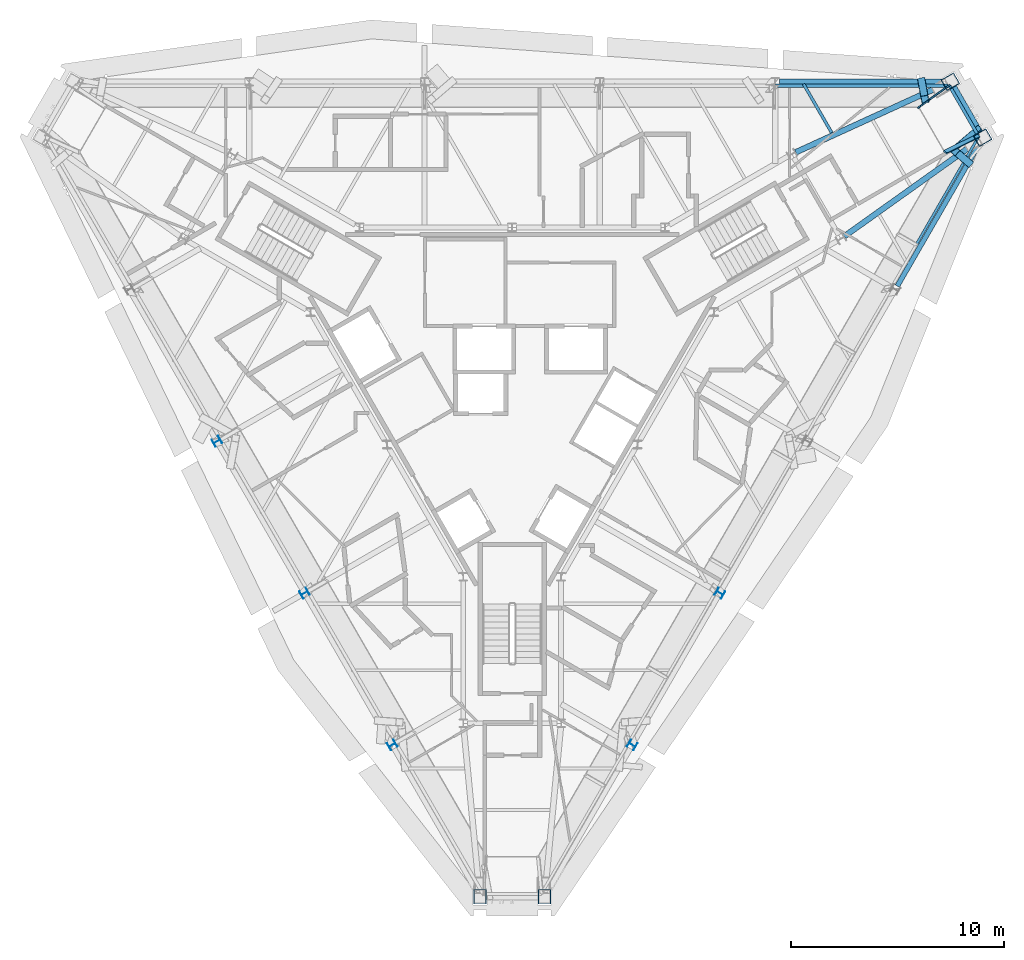
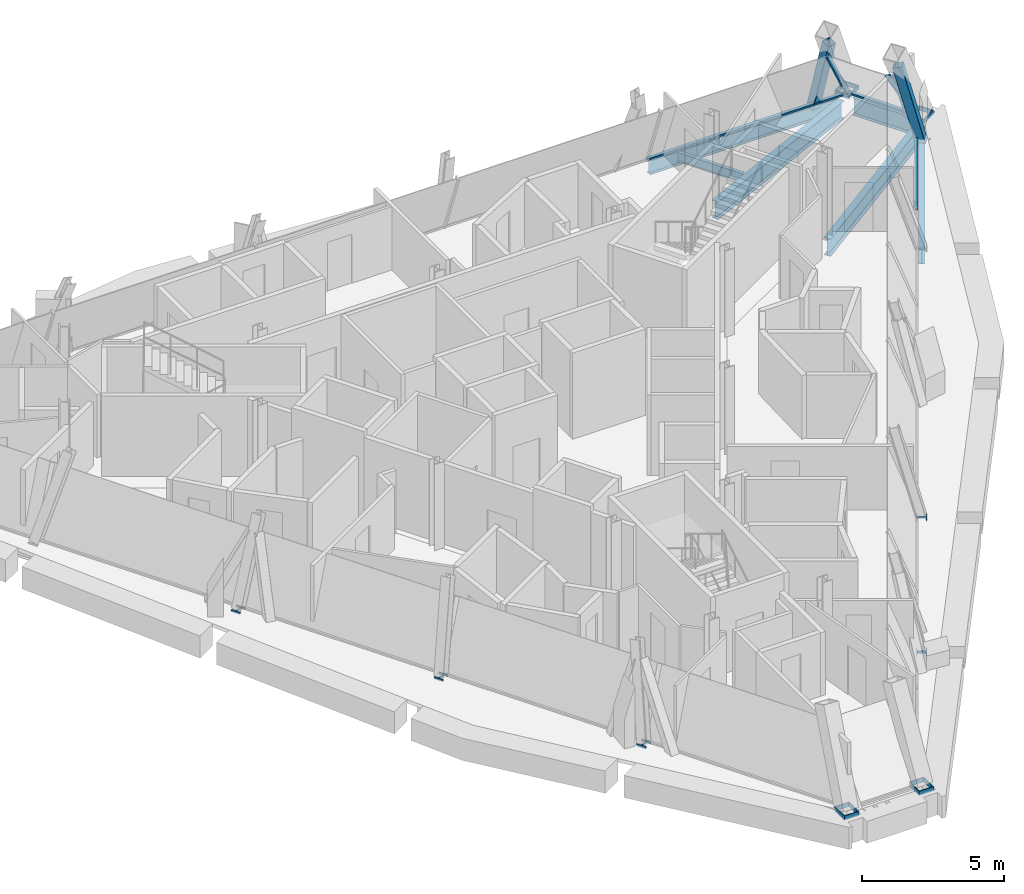
# One storey, part 4 of 13: 17 members, 6 beams, 3 elements without a shape of their own.
"""IFC4 building model written with IfcOpenShell, lengths in metres."""

from ifc_helpers import new_model, si_unit, direction, frame, origin, origin_2d, place, context, subcontext, project, spatial, rectangle, hollow_rectangle, i_section, extrude, material, material_profile, profile_set, type_object, element, aggregate, save


model = new_model("IFC4")

# Units and contexts
model_context = context("Model", 3, precision=1e-05, world=origin(), true_north=direction((0.0, 1.0)))
body_context = subcontext(model_context, "Body", "Model", "MODEL_VIEW")
ifc_project = project(units=[si_unit("LENGTHUNIT", "METRE"), si_unit("AREAUNIT", "SQUARE_METRE"), si_unit("VOLUMEUNIT", "CUBIC_METRE"), si_unit("PLANEANGLEUNIT", "RADIAN"), si_unit("MASSUNIT", "GRAM", prefix="KILO")], contexts=[model_context])

# Site, building, storey
site_placement = place(None, origin())
site = spatial("IfcSite", under=ifc_project, at=site_placement, CompositionType="ELEMENT")
building_placement = place(site_placement, origin())
building = spatial("IfcBuilding", under=site, at=building_placement, Name="Verrane Prism Tower", CompositionType="ELEMENT")
storey_placement = place(building_placement, frame((0.0, 0.0, 304.699951171875)))
storey = spatial("IfcBuildingStorey", under=building, at=storey_placement, Name="L77", CompositionType="ELEMENT", Elevation=304.699951171875)

# Member
ifc_material_1 = material(Name="Steel A500 Grade C", Category="steel")
ifc_material_profile_1 = material_profile(ifc_material_1, hollow_rectangle(XDim=0.25390625, YDim=0.25390625, WallThickness=0.009521484375, InnerFilletRadius=0.0048828125, OuterFilletRadius=0.014404296875, at=origin_2d()), Name="HSS10x10x3/8")
ifc_profile_set_1 = profile_set([ifc_material_profile_1], Name="Steel A500 Grade C")
member_type_1 = type_object("IfcMemberType", Name="Chamfer brace HSS10x10x3/8", PredefinedType="BRACE", material=ifc_profile_set_1)
member_1_placement = place(storey_placement, frame((21.880859375, 11.433837890625, -0.242431640625), z_axis=(-0.352889837406, -0.301488956858, 0.885761351352), x_axis=(0.649563353481, -0.760307470576, 0.0)))
element("IfcMember", 1, at=member_1_placement, inside=storey, type_object=member_type_1, Name="Chamfer brace NE0 L77", PredefinedType="BRACE", context=body_context, shape_type="SweptSolid", body=[
    extrude(hollow_rectangle(XDim=0.25390625, YDim=0.25390625, WallThickness=0.009521484375, InnerFilletRadius=0.0048828125, OuterFilletRadius=0.014404296875, at=origin_2d()), origin(), (0.0, 0.0, 1.0), 3.1064453125),
])

# Beams
ifc_material_2 = material(Name="Steel A992", Category="steel")
ifc_material_profile_2 = material_profile(ifc_material_2, i_section(OverallWidth=0.2666015625, OverallDepth=0.7568359375, WebThickness=0.013916015625, FlangeThickness=0.019287109375, FilletRadius=0.0166015625, at=origin_2d()), Name="W30x108")
ifc_profile_set_2 = profile_set([ifc_material_profile_2], Name="Steel A992")
beam_type_1 = type_object("IfcBeamType", Name="Chamfer spandrel beam W30x108", PredefinedType="SPANDREL", material=ifc_profile_set_2)
beam_1_placement = place(storey_placement, frame((21.969970703125, 11.27978515625, -0.538330078125), z_axis=(-0.500436097356, 0.865773476415, 0.0), x_axis=(-0.865773476415, -0.500436097356, 0.0)))
element("IfcBeam", 2, at=beam_1_placement, inside=storey, type_object=beam_type_1, Name="Chamfer spandrel beam L77", PredefinedType="SPANDREL", context=body_context, shape_type="SweptSolid", body=[
    extrude(i_section(OverallWidth=0.2666015625, OverallDepth=0.7568359375, WebThickness=0.013916015625, FlangeThickness=0.019287109375, FilletRadius=0.0166015625, at=origin_2d()), origin(), (0.0, 0.0, 1.0), 2.437744140625),
])
ifc_material_3 = material(Name="Steel A992", Category="steel")
ifc_material_profile_3 = material_profile(ifc_material_3, i_section(OverallWidth=0.2666015625, OverallDepth=0.7568359375, WebThickness=0.013916015625, FlangeThickness=0.019287109375, FilletRadius=0.0166015625, at=origin_2d()), Name="W30x108")
ifc_profile_set_3 = profile_set([ifc_material_profile_3], Name="Steel A992")
beam_type_2 = type_object("IfcBeamType", Name="Corner girder W30x108", PredefinedType="BEAM", material=ifc_profile_set_3)
for number, where, z_axis, x_axis, name in (
    (3, (21.833740234375, 10.81591796875, -0.598388671875), (-0.814401339816, -0.580302040067, 0.0), (0.580302040067, -0.814401339816, 0.0), "Corner girder L77"),
    (4, (20.2802734375, 13.50390625, -0.598388671875), (-0.909481370613, -0.415744677065, 0.0), (0.415744677065, -0.909481370613, 0.0), "Corner girder L77"),
):
    element("IfcBeam", number, at=place(storey_placement, frame(where, z_axis=z_axis, x_axis=x_axis)), inside=storey, type_object=beam_type_2, Name=name, PredefinedType="BEAM", context=body_context, shape_type="SweptSolid", body=[
        extrude(i_section(OverallWidth=0.2666015625, OverallDepth=0.7568359375, WebThickness=0.013916015625, FlangeThickness=0.019287109375, FilletRadius=0.0166015625, at=origin_2d()), origin(), (0.0, 0.0, 1.0), 7.650634765625),
    ])

# Members
ifc_material_4 = material(Name="Steel A500 Grade C", Category="steel")
ifc_material_profile_4 = material_profile(ifc_material_4, hollow_rectangle(XDim=0.355712890625, YDim=0.355712890625, WallThickness=0.0126953125, InnerFilletRadius=0.00634765625, OuterFilletRadius=0.01904296875, at=origin_2d()), Name="HSS14x14x1/2")
ifc_profile_set_4 = profile_set([ifc_material_profile_4], Name="Steel A500 Grade C")
member_type_2 = type_object("IfcMemberType", Name="Facade brace HSS14x14x1/2", PredefinedType="BRACE", material=ifc_profile_set_4)
member_2_placement = place(storey_placement, frame((19.23876953125, 13.64990234375, -0.216552734375), z_axis=(0.046697248838, -0.253573473452, 0.966188315243), x_axis=(0.983462622237, 0.18111121076, 0.0)))
element("IfcMember", 5, at=member_2_placement, inside=storey, type_object=member_type_2, Name="Facade brace N0 L77", PredefinedType="BRACE", context=body_context, shape_type="SweptSolid", body=[
    extrude(hollow_rectangle(XDim=0.355712890625, YDim=0.355712890625, WallThickness=0.0126953125, InnerFilletRadius=0.00634765625, OuterFilletRadius=0.01904296875, at=origin_2d()), origin(), (0.0, 0.0, 1.0), 3.293701171875),
])
member_3_placement = place(storey_placement, frame((21.439453125, 9.840576171875, -0.216552734375), z_axis=(-0.195998181882, 0.167013579342, 0.966276967031), x_axis=(-0.648583840742, -0.761143220116, 0.0)))
element("IfcMember", 6, at=member_3_placement, inside=storey, type_object=member_type_2, Name="Facade brace SE4 L77", PredefinedType="BRACE", context=body_context, shape_type="SweptSolid", body=[
    extrude(hollow_rectangle(XDim=0.355712890625, YDim=0.355712890625, WallThickness=0.0126953125, InnerFilletRadius=0.00634765625, OuterFilletRadius=0.01904296875, at=origin_2d()), origin(), (0.0, 0.0, 1.0), 3.29345703125),
])

# Beam
ifc_material_5 = material(Name="Steel A992", Category="steel")
ifc_material_profile_5 = material_profile(ifc_material_5, i_section(OverallWidth=0.140380859375, OverallDepth=0.40380859375, WebThickness=0.007080078125, FlangeThickness=0.01123046875, FilletRadius=0.01025390625, at=origin_2d()), Name="W16x31")
ifc_profile_set_5 = profile_set([ifc_material_profile_5], Name="Steel A992")
beam_type_3 = type_object("IfcBeamType", Name="Floor beam W16x31", PredefinedType="BEAM", material=ifc_profile_set_5)
beam_2_placement = place(storey_placement, frame((15.01123046875, 11.2421875, -0.36181640625), z_axis=(-0.50007632508, 0.865981332994, 0.0), x_axis=(-0.865981332994, -0.50007632508, 0.0)))
element("IfcBeam", 7, at=beam_2_placement, inside=storey, type_object=beam_type_3, Name="Floor beam L77", PredefinedType="BEAM", context=body_context, shape_type="SweptSolid", body=[
    extrude(i_section(OverallWidth=0.140380859375, OverallDepth=0.40380859375, WebThickness=0.007080078125, FlangeThickness=0.01123046875, FilletRadius=0.01025390625, at=origin_2d()), origin(), (0.0, 0.0, 1.0), 2.6474609375),
])

# Members
ifc_material_6 = material(Name="Steel A572 Grade 50", Category="steel")
ifc_material_profile_6 = material_profile(ifc_material_6, hollow_rectangle(XDim=0.60009765625, YDim=0.699951171875, WallThickness=0.0400390625, at=origin_2d()), Name="BOX 700x600x40")
ifc_profile_set_6 = profile_set([ifc_material_profile_6], Name="Steel A572 Grade 50")
member_type_3 = type_object("IfcMemberType", Name="Kink node BOX 700x600x40", PredefinedType="COLLAR", material=ifc_profile_set_6)
for number, where, z_axis, x_axis, name in (
    (8, (22.100830078125, 11.010986328125, -0.08984375), (0.0, 0.0, 1.0), (0.5, -0.866025403784, 0.0), "Kink node MC5 L77"),
    (9, (20.58251953125, 13.637939453125, -0.08984375), (0.0, 0.0, 1.0), (0.5, -0.866025403784, 0.0), "Kink node MC5 L77"),
    (10, (-1.518310546875, -24.64892578125, -0.08984375), (0.0, 0.0, 1.0), (-1.0, 0.0, 0.0), "Kink node MC5 L77"),
    (11, (1.518310546875, -24.64892578125, -0.08984375), (0.0, 0.0, 1.0), (-1.0, 0.0, 0.0), "Kink node MC5 L77"),
):
    element("IfcMember", number, at=place(storey_placement, frame(where, z_axis=z_axis, x_axis=x_axis)), inside=storey, type_object=member_type_3, Name=name, PredefinedType="COLLAR", context=body_context, shape_type="SweptSolid", body=[
        extrude(hollow_rectangle(XDim=0.60009765625, YDim=0.699951171875, WallThickness=0.0400390625, at=origin_2d()), origin(), (0.0, 0.0, 1.0), 0.179931640625),
    ])
ifc_material_7 = material(Name="Steel A992", Category="steel")
ifc_material_profile_7 = material_profile(ifc_material_7, i_section(OverallWidth=0.373291015625, OverallDepth=0.368408203125, WebThickness=0.014892578125, FlangeThickness=0.02392578125, FilletRadius=0.01513671875, at=origin_2d()), Name="W14x120")
ifc_profile_set_7 = profile_set([ifc_material_profile_7], Name="Steel A992")
member_type_4 = type_object("IfcMemberType", Name="Kink node W14x120", PredefinedType="COLLAR", material=ifc_profile_set_7)
member_4_placement = place(storey_placement, frame((5.63671875, -17.520751953125, -0.054931640625), z_axis=(0.0, 0.0, 1.0), x_axis=(-0.5, -0.866025403784, 0.0)))
element("IfcMember", 12, at=member_4_placement, inside=storey, type_object=member_type_4, Name="Kink node PC11 L77", PredefinedType="COLLAR", context=body_context, shape_type="SweptSolid", body=[
    extrude(i_section(OverallWidth=0.373291015625, OverallDepth=0.368408203125, WebThickness=0.014892578125, FlangeThickness=0.02392578125, FilletRadius=0.01513671875, at=origin_2d()), origin(), (0.0, 0.0, 1.0), 0.10986328125),
])
for number, where, z_axis, x_axis, name in (
    (13, (9.755615234375, -10.385498046875, -0.044921875), (0.0, 0.0, 1.0), (-0.5, -0.866025403784, 0.0), "Kink node PC11 L77"),
    (14, (-13.873779296875, -3.25830078125, -0.044921875), (0.0, 0.0, 1.0), (-0.5, 0.866025403784, 0.0), "Kink node PC11 L77"),
    (15, (-9.755615234375, -10.385498046875, -0.044921875), (0.0, 0.0, 1.0), (-0.5, 0.866025403784, 0.0), "Kink node PC11 L77"),
):
    element("IfcMember", number, at=place(storey_placement, frame(where, z_axis=z_axis, x_axis=x_axis)), inside=storey, type_object=member_type_4, Name=name, PredefinedType="COLLAR", context=body_context, shape_type="SweptSolid", body=[
        extrude(i_section(OverallWidth=0.373291015625, OverallDepth=0.368408203125, WebThickness=0.014892578125, FlangeThickness=0.02392578125, FilletRadius=0.01513671875, at=origin_2d()), origin(), (0.0, 0.0, 1.0), 0.090087890625),
    ])
member_5_placement = place(storey_placement, frame((-5.63671875, -17.520751953125, -0.054931640625), z_axis=(0.0, 0.0, 1.0), x_axis=(-0.5, 0.866025403784, 0.0)))
element("IfcMember", 16, at=member_5_placement, inside=storey, type_object=member_type_4, Name="Kink node PC11 L77", PredefinedType="COLLAR", context=body_context, shape_type="SweptSolid", body=[
    extrude(i_section(OverallWidth=0.373291015625, OverallDepth=0.368408203125, WebThickness=0.014892578125, FlangeThickness=0.02392578125, FilletRadius=0.01513671875, at=origin_2d()), origin(), (0.0, 0.0, 1.0), 0.10986328125),
])

# Curtain wall, member
ifc_material_8 = material(Name="Aluminium framed insulated glazing", Category="aluminium")
curtain_wall_type_1 = type_object("IfcCurtainWallType", Name="Curtain wall CW-A 8400 module", PredefinedType="NOTDEFINED", material=ifc_material_8)
curtain_wall_1_placement = place(storey_placement, origin())
curtain_wall_1 = element("IfcCurtainWall", 17, at=curtain_wall_1_placement, inside=storey, type_object=curtain_wall_type_1, Name="Glazed curtain wall north-east corner L77", PredefinedType="NOTDEFINED")
ifc_material_9 = material(Name="Aluminium alloy 6063-T6", Category="aluminium")
ifc_material_profile_8 = material_profile(ifc_material_9, rectangle(XDim=0.199951171875, YDim=0.070068359375, at=origin_2d()), Name="Mullion 70x200 aluminium")
ifc_profile_set_8 = profile_set([ifc_material_profile_8], Name="Aluminium alloy 6063-T6")
member_type_5 = type_object("IfcMemberType", Name="Mullion 70x200 aluminium", PredefinedType="MULLION", material=ifc_profile_set_8)
member_6_placement = place(storey_placement, frame((21.901123046875, 11.10009765625, 0.0), z_axis=(-0.483799016937, -0.238275545795, 0.842118326298), x_axis=(-0.760368459236, 0.59087226328, -0.269647500795)))
member_6 = element("IfcMember", 18, at=member_6_placement, type_object=member_type_5, Name="CW75.1 mullion 1", PredefinedType="MULLION", context=body_context, shape_type="SweptSolid", body=[
    extrude(rectangle(XDim=0.199951171875, YDim=0.070068359375, at=origin_2d()), origin(), (0.0, 0.0, 1.0), 3.233642578125),
])

curtain_wall_2_placement = place(storey_placement, origin())
curtain_wall_2 = element("IfcCurtainWall", 19, at=curtain_wall_2_placement, inside=storey, type_object=curtain_wall_type_1, Name="Glazed curtain wall north face L77", PredefinedType="NOTDEFINED")
member_7_placement = place(storey_placement, frame((20.510986328125, 13.447265625, 0.0), z_axis=(-0.433870712806, -0.310579244959, 0.84575217243), x_axis=(-0.687713001806, -0.492288090772, -0.5335759204)))
member_7 = element("IfcMember", 20, at=member_7_placement, type_object=member_type_5, Name="CW75.2 mullion 1", PredefinedType="MULLION", context=body_context, shape_type="SweptSolid", body=[
    extrude(rectangle(XDim=0.199951171875, YDim=0.070068359375, at=origin_2d()), origin(), (0.0, 0.0, 1.0), 3.2197265625),
])

# Beams
ifc_material_10 = material(Name="Steel A992", Category="steel")
ifc_material_profile_9 = material_profile(ifc_material_10, i_section(OverallWidth=0.23046875, OverallDepth=0.6171875, WebThickness=0.01318359375, FlangeThickness=0.022216796875, FilletRadius=0.012939453125, at=origin_2d()), Name="W24x94")
ifc_profile_set_9 = profile_set([ifc_material_profile_9], Name="Steel A992")
beam_type_4 = type_object("IfcBeamType", Name="Spandrel beam W24x94", PredefinedType="SPANDREL", material=ifc_profile_set_9)
beam_3_placement = place(storey_placement, frame((20.19580078125, 13.64990234375, -0.468505859375), z_axis=(-1.0, 0.0, 0.0), x_axis=(0.0, -1.0, 0.0)))
element("IfcBeam", 21, at=beam_3_placement, inside=storey, type_object=beam_type_4, Name="Spandrel beam L77", PredefinedType="SPANDREL", context=body_context, shape_type="SweptSolid", body=[
    extrude(i_section(OverallWidth=0.23046875, OverallDepth=0.6171875, WebThickness=0.01318359375, FlangeThickness=0.022216796875, FilletRadius=0.012939453125, at=origin_2d()), origin(), (0.0, 0.0, 1.0), 7.649169921875),
])
beam_4_placement = place(storey_placement, frame((18.09326171875, 4.041748046875, -0.468505859375), z_axis=(0.499797022492, 0.866142561192, 0.0), x_axis=(-0.866142561192, 0.499797022492, 0.0)))
element("IfcBeam", 22, at=beam_4_placement, inside=storey, type_object=beam_type_4, Name="Spandrel beam L77", PredefinedType="SPANDREL", context=body_context, shape_type="SweptSolid", body=[
    extrude(i_section(OverallWidth=0.23046875, OverallDepth=0.6171875, WebThickness=0.01318359375, FlangeThickness=0.022216796875, FilletRadius=0.012939453125, at=origin_2d()), origin(), (0.0, 0.0, 1.0), 7.652587890625),
])

# Curtain wall, member
ifc_material_11 = material(Name="Aluminium framed insulated glazing", Category="aluminium")
curtain_wall_type_2 = type_object("IfcCurtainWallType", Name="Curtain wall CW-B 5600 module", PredefinedType="NOTDEFINED", material=ifc_material_11)
curtain_wall_3_placement = place(storey_placement, origin())
curtain_wall_3 = element("IfcCurtainWall", 23, at=curtain_wall_3_placement, inside=storey, type_object=curtain_wall_type_2, Name="Glazed curtain wall south-east face L77", PredefinedType="NOTDEFINED")
ifc_material_12 = material(Name="Aluminium alloy 6063-T6", Category="aluminium")
ifc_material_profile_10 = material_profile(ifc_material_12, rectangle(XDim=0.1201171875, YDim=0.06005859375, at=origin_2d()), Name="Transom 60x120 aluminium")
ifc_profile_set_10 = profile_set([ifc_material_profile_10], Name="Aluminium alloy 6063-T6")
member_type_6 = type_object("IfcMemberType", Name="Transom 60x120 aluminium", PredefinedType="USERDEFINED", material=ifc_profile_set_10)
member_8_placement = place(storey_placement, frame((18.99853515625, 6.011962890625, 0.030029296875), z_axis=(0.500001080802, 0.866024779782, 0.0), x_axis=(-0.866024779782, 0.500001080802, 0.0)))
member_8 = element("IfcMember", 24, at=member_8_placement, type_object=member_type_6, Name="CW75.6 transom 7", ObjectType="TRANSOM", PredefinedType="USERDEFINED", context=body_context, shape_type="SweptSolid", body=[
    extrude(rectangle(XDim=0.1201171875, YDim=0.06005859375, at=origin_2d()), origin(), (0.0, 0.0, 1.0), 5.84033203125),
])
aggregate(curtain_wall_3, [member_8])

# Member
ifc_material_13 = material(Name="Aluminium alloy 6063-T6", Category="aluminium")
ifc_material_profile_11 = material_profile(ifc_material_13, rectangle(XDim=0.14990234375, YDim=0.070068359375, at=origin_2d()), Name="Transom 70x150 aluminium")
ifc_profile_set_11 = profile_set([ifc_material_profile_11], Name="Aluminium alloy 6063-T6")
member_type_7 = type_object("IfcMemberType", Name="Transom 70x150 aluminium", PredefinedType="USERDEFINED", material=ifc_profile_set_11)
member_9_placement = place(storey_placement, frame((21.8837890625, 11.13037109375, 0.03515625), z_axis=(-0.499996300355, 0.866027539765, 0.0), x_axis=(-0.866027539765, -0.499996300355, 0.0)))
member_9 = element("IfcMember", 25, at=member_9_placement, type_object=member_type_7, Name="CW75.1 transom 1", ObjectType="TRANSOM", PredefinedType="USERDEFINED", context=body_context, shape_type="SweptSolid", body=[
    extrude(rectangle(XDim=0.14990234375, YDim=0.070068359375, at=origin_2d()), origin(), (0.0, 0.0, 1.0), 2.67529296875),
])

aggregate(curtain_wall_1, [member_6, member_9])

member_10_placement = place(storey_placement, frame((20.47607421875, 13.447265625, 0.03515625), z_axis=(-1.0, 0.0, 0.0), x_axis=(0.0, -1.0, 0.0)))
member_10 = element("IfcMember", 26, at=member_10_placement, type_object=member_type_7, Name="CW75.2 transom 1", ObjectType="TRANSOM", PredefinedType="USERDEFINED", context=body_context, shape_type="SweptSolid", body=[
    extrude(rectangle(XDim=0.14990234375, YDim=0.070068359375, at=origin_2d()), origin(), (0.0, 0.0, 1.0), 8.113525390625),
])

aggregate(curtain_wall_2, [member_7, member_10])

save(model, "model.ifc")
